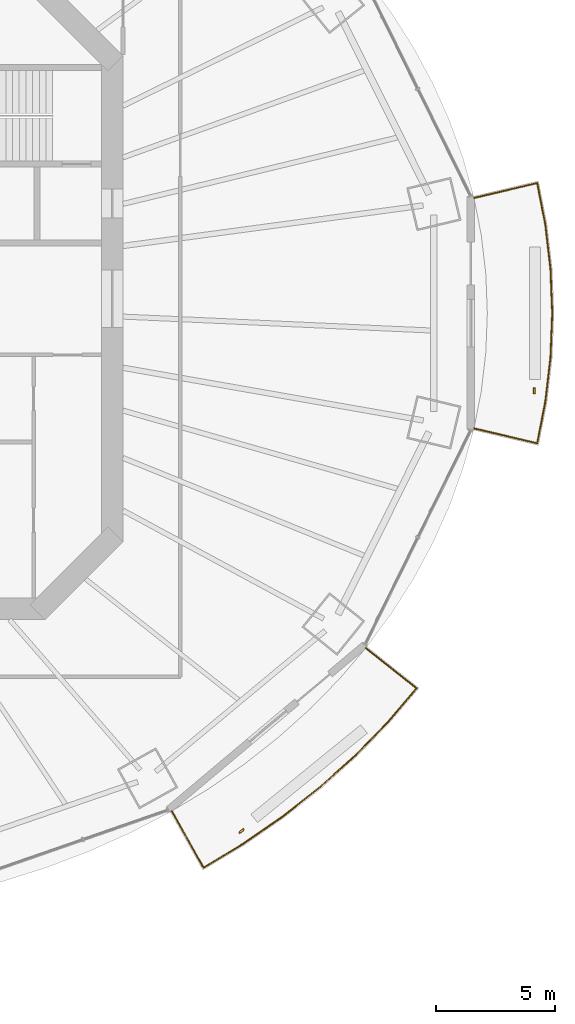
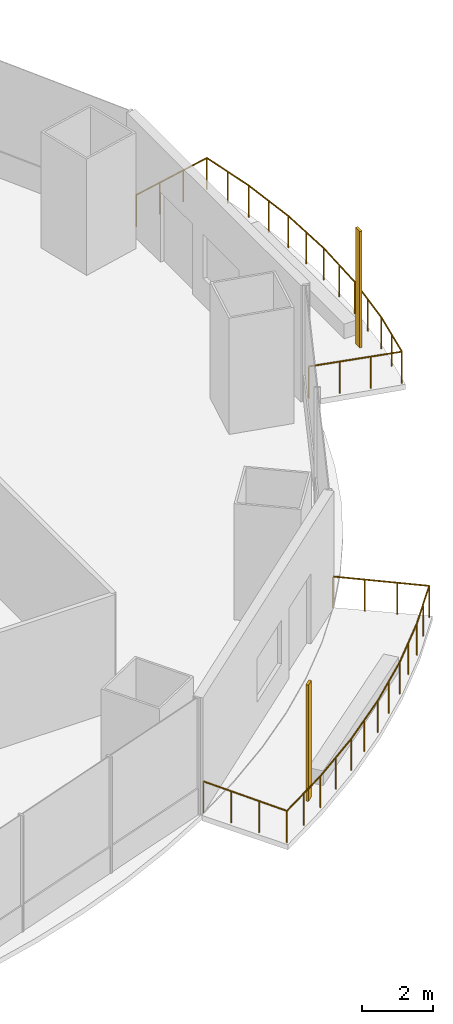
# One storey, part 16 of 19: 2 railings, 2 shading devices.
"""IFC4 building model written with IfcOpenShell, lengths in metres."""

from ifc_helpers import new_model, si_unit, direction, frame, origin, origin_2d, place, context, subcontext, project, spatial, rectangle, circle, extrude, material, material_profile, profile_set, type_object, element, save


model = new_model("IFC4")

# Units and contexts
model_context = context("Model", 3, precision=1e-05, world=origin(), true_north=direction((0.0, 1.0)))
body_context = subcontext(model_context, "Body", "Model", "MODEL_VIEW")
ifc_project = project(units=[si_unit("LENGTHUNIT", "METRE"), si_unit("AREAUNIT", "SQUARE_METRE"), si_unit("VOLUMEUNIT", "CUBIC_METRE"), si_unit("PLANEANGLEUNIT", "RADIAN"), si_unit("MASSUNIT", "GRAM", prefix="KILO")], contexts=[model_context])

# Site, building, storey
site_placement = place(None, origin())
site = spatial("IfcSite", under=ifc_project, at=site_placement, CompositionType="ELEMENT")
building_placement = place(site_placement, origin())
building = spatial("IfcBuilding", under=site, at=building_placement, Name="Marenthal Gate Tower", CompositionType="ELEMENT")
storey_placement = place(building_placement, frame((0.0, 0.0, 248.199951171875)))
storey = spatial("IfcBuildingStorey", under=building, at=storey_placement, Name="L55", CompositionType="ELEMENT", Elevation=248.199951171875)

# Railings
ifc_material_1 = material(Name="Stainless steel", Category="steel")
railing_type = type_object("IfcRailingType", Name="Balcony guard 1100", PredefinedType="GUARDRAIL", material=ifc_material_1)
railing_1_placement = place(storey_placement, frame((26.63037109375, -14.637451171875, 0.0)))
element("IfcRailing", 1, at=railing_1_placement, inside=storey, type_object=railing_type, Name="Balcony guard L55 bay 14", PredefinedType="GUARDRAIL", context=body_context, shape_type="SweptSolid", body=[
    extrude(circle(Radius=0.02392578125, at=origin_2d()), frame((0.0, 0.0, 1.076171875), z_axis=(0.783055581805, -0.621777543925, -0.014718752483), x_axis=(0.621844906334, 0.783140416826, 0.0)), (0.0, 0.0, 1.0), 2.72021484375),
    extrude(circle(Radius=0.02392578125, at=origin_2d()), frame((2.130126953125, -1.69140625, 1.0361328125), z_axis=(-0.649809223688, -0.760097344298, 0.0), x_axis=(0.760097344298, -0.649809223688, 0.0)), (0.0, 0.0, 1.0), 1.864013671875),
    extrude(circle(Radius=0.02392578125, at=origin_2d()), frame((0.9189453125, -3.108154296875, 1.0361328125), z_axis=(-0.698521536326, -0.715589032398, 0.0), x_axis=(0.715589032398, -0.698521536326, 0.0)), (0.0, 0.0, 1.0), 1.959716796875),
    extrude(circle(Radius=0.02392578125, at=origin_2d()), frame((-0.449951171875, -4.510498046875, 1.0361328125), z_axis=(-0.744196610974, -0.667960630737, 0.0), x_axis=(0.667960630737, -0.744196610974, 0.0)), (0.0, 0.0, 1.0), 1.975830078125),
    extrude(circle(Radius=0.02392578125, at=origin_2d()), frame((-1.92041015625, -5.830322265625, 1.0361328125), z_axis=(-0.785663114819, -0.618654564367, 0.0), x_axis=(0.618654564367, -0.785663114819, 0.0)), (0.0, 0.0, 1.0), 1.992431640625),
    extrude(circle(Radius=0.02392578125, at=origin_2d()), frame((-3.48583984375, -7.06298828125, 1.0361328125), z_axis=(-0.823079547335, -0.567926103256, 0.0), x_axis=(0.567926103256, -0.823079547335, 0.0)), (0.0, 0.0, 1.0), 2.00830078125),
    extrude(circle(Radius=0.02392578125, at=origin_2d()), frame((-5.138916015625, -8.20361328125, 1.0361328125), z_axis=(-0.855927117695, -0.517096479581, 0.0), x_axis=(0.517096479581, -0.855927117695, 0.0)), (0.0, 0.0, 1.0), 1.94482421875),
    extrude(circle(Radius=0.02392578125, at=origin_2d()), frame((-6.803466796875, -9.209228515625, 1.0361328125), z_axis=(-0.489935400912, 0.871634477681, 0.014718704112), x_axis=(-0.87172890858, -0.489988479401, 0.0)), (0.0, 0.0, 1.0), 2.72021484375),
    extrude(circle(Radius=0.02099609375, at=origin_2d()), origin(), (0.0, 0.0, 1.0), 1.052001953125),
    extrude(circle(Radius=0.02099609375, at=origin_2d()), frame((0.7099609375, -0.563720703125, -0.013427734375)), (0.0, 0.0, 1.0), 1.052001953125),
    extrude(circle(Radius=0.02099609375, at=origin_2d()), frame((1.420166015625, -1.127685546875, -0.026611328125)), (0.0, 0.0, 1.0), 1.052001953125),
    extrude(circle(Radius=0.02099609375, at=origin_2d()), frame((2.130126953125, -1.69140625, -0.0400390625)), (0.0, 0.0, 1.0), 1.052001953125),
    extrude(circle(Radius=0.02099609375, at=origin_2d()), frame((1.5244140625, -2.39990234375, -0.0400390625)), (0.0, 0.0, 1.0), 1.052001953125),
    extrude(circle(Radius=0.02099609375, at=origin_2d()), frame((0.9189453125, -3.108154296875, -0.0400390625)), (0.0, 0.0, 1.0), 1.052001953125),
    extrude(circle(Radius=0.02099609375, at=origin_2d()), frame((0.234375, -3.809326171875, -0.0400390625)), (0.0, 0.0, 1.0), 1.052001953125),
    extrude(circle(Radius=0.02099609375, at=origin_2d()), frame((-0.449951171875, -4.510498046875, -0.0400390625)), (0.0, 0.0, 1.0), 1.052001953125),
    extrude(circle(Radius=0.02099609375, at=origin_2d()), frame((-1.18505859375, -5.17041015625, -0.0400390625)), (0.0, 0.0, 1.0), 1.052001953125),
    extrude(circle(Radius=0.02099609375, at=origin_2d()), frame((-1.92041015625, -5.830322265625, -0.0400390625)), (0.0, 0.0, 1.0), 1.052001953125),
    extrude(circle(Radius=0.02099609375, at=origin_2d()), frame((-2.703125, -6.44677734375, -0.0400390625)), (0.0, 0.0, 1.0), 1.052001953125),
    extrude(circle(Radius=0.02099609375, at=origin_2d()), frame((-3.48583984375, -7.06298828125, -0.0400390625)), (0.0, 0.0, 1.0), 1.052001953125),
    extrude(circle(Radius=0.02099609375, at=origin_2d()), frame((-4.3125, -7.63330078125, -0.0400390625)), (0.0, 0.0, 1.0), 1.052001953125),
    extrude(circle(Radius=0.02099609375, at=origin_2d()), frame((-5.138916015625, -8.20361328125, -0.0400390625)), (0.0, 0.0, 1.0), 1.052001953125),
    extrude(circle(Radius=0.02099609375, at=origin_2d()), frame((-5.97119140625, -8.70654296875, -0.0400390625)), (0.0, 0.0, 1.0), 1.052001953125),
    extrude(circle(Radius=0.02099609375, at=origin_2d()), frame((-6.803466796875, -9.209228515625, -0.0400390625)), (0.0, 0.0, 1.0), 1.052001953125),
    extrude(circle(Radius=0.02099609375, at=origin_2d()), frame((-7.247802734375, -8.4189453125, -0.026611328125)), (0.0, 0.0, 1.0), 1.052001953125),
    extrude(circle(Radius=0.02099609375, at=origin_2d()), frame((-7.69189453125, -7.62841796875, -0.013427734375)), (0.0, 0.0, 1.0), 1.052001953125),
    extrude(circle(Radius=0.02099609375, at=origin_2d()), frame((-8.13623046875, -6.838134765625, 0.0)), (0.0, 0.0, 1.0), 1.052001953125),
])
railing_2_placement = place(storey_placement, frame((31.16650390625, 4.2294921875, 0.0)))
element("IfcRailing", 2, at=railing_2_placement, inside=storey, type_object=railing_type, Name="Balcony guard L55 bay 16", PredefinedType="GUARDRAIL", context=body_context, shape_type="SweptSolid", body=[
    extrude(circle(Radius=0.02392578125, at=origin_2d()), frame((0.0, 0.0, 1.076171875), z_axis=(0.973072245699, 0.230029899071, -0.014719041532), x_axis=(-0.23005482113, 0.97317767097, 0.0)), (0.0, 0.0, 1.0), 2.72021484375),
    extrude(circle(Radius=0.02392578125, at=origin_2d()), frame((2.64697265625, 0.625732421875, 1.0361328125), z_axis=(0.19100882276, -0.981588319831, 0.0), x_axis=(0.981588319831, 0.19100882276, 0.0)), (0.0, 0.0, 1.0), 1.784423828125),
    extrude(circle(Radius=0.02392578125, at=origin_2d()), frame((2.98779296875, -1.125732421875, 1.0361328125), z_axis=(0.116292910733, -0.99321496108, 0.0), x_axis=(0.99321496108, 0.116292910733, 0.0)), (0.0, 0.0, 1.0), 1.860107421875),
    extrude(circle(Radius=0.02392578125, at=origin_2d()), frame((3.2041015625, -2.97314453125, 1.0361328125), z_axis=(0.039028631449, -0.999238092712, 0.0), x_axis=(0.999238092712, 0.039028631449, 0.0)), (0.0, 0.0, 1.0), 1.85791015625),
    extrude(circle(Radius=0.02392578125, at=origin_2d()), frame((3.276611328125, -4.82958984375, 1.0361328125), z_axis=(-0.039028631449, -0.999238092712, 0.0), x_axis=(0.999238092712, -0.039028631449, 0.0)), (0.0, 0.0, 1.0), 1.85791015625),
    extrude(circle(Radius=0.02392578125, at=origin_2d()), frame((3.2041015625, -6.68603515625, 1.0361328125), z_axis=(-0.116308073283, -0.99321318562, 0.0), x_axis=(0.99321318562, -0.116308073283, 0.0)), (0.0, 0.0, 1.0), 1.85986328125),
    extrude(circle(Radius=0.02392578125, at=origin_2d()), frame((2.98779296875, -8.533203125, 1.0361328125), z_axis=(-0.19100882276, -0.981588319831, 0.0), x_axis=(0.981588319831, -0.19100882276, 0.0)), (0.0, 0.0, 1.0), 1.784423828125),
    extrude(circle(Radius=0.02392578125, at=origin_2d()), frame((2.64697265625, -10.28466796875, 1.0361328125), z_axis=(-0.973072245699, 0.230029899071, 0.014719041532), x_axis=(-0.23005482113, -0.97317767097, 0.0)), (0.0, 0.0, 1.0), 2.72021484375),
    extrude(circle(Radius=0.02099609375, at=origin_2d()), origin(), (0.0, 0.0, 1.0), 1.052001953125),
    extrude(circle(Radius=0.02099609375, at=origin_2d()), frame((0.88232421875, 0.20849609375, -0.013427734375)), (0.0, 0.0, 1.0), 1.052001953125),
    extrude(circle(Radius=0.02099609375, at=origin_2d()), frame((1.7646484375, 0.417236328125, -0.026611328125)), (0.0, 0.0, 1.0), 1.052001953125),
    extrude(circle(Radius=0.02099609375, at=origin_2d()), frame((2.64697265625, 0.625732421875, -0.0400390625)), (0.0, 0.0, 1.0), 1.052001953125),
    extrude(circle(Radius=0.02099609375, at=origin_2d()), frame((2.8173828125, -0.25, -0.0400390625)), (0.0, 0.0, 1.0), 1.052001953125),
    extrude(circle(Radius=0.02099609375, at=origin_2d()), frame((2.98779296875, -1.125732421875, -0.0400390625)), (0.0, 0.0, 1.0), 1.052001953125),
    extrude(circle(Radius=0.02099609375, at=origin_2d()), frame((3.095947265625, -2.04931640625, -0.0400390625)), (0.0, 0.0, 1.0), 1.052001953125),
    extrude(circle(Radius=0.02099609375, at=origin_2d()), frame((3.2041015625, -2.97314453125, -0.0400390625)), (0.0, 0.0, 1.0), 1.052001953125),
    extrude(circle(Radius=0.02099609375, at=origin_2d()), frame((3.240234375, -3.9013671875, -0.0400390625)), (0.0, 0.0, 1.0), 1.052001953125),
    extrude(circle(Radius=0.02099609375, at=origin_2d()), frame((3.276611328125, -4.82958984375, -0.0400390625)), (0.0, 0.0, 1.0), 1.052001953125),
    extrude(circle(Radius=0.02099609375, at=origin_2d()), frame((3.240234375, -5.7578125, -0.0400390625)), (0.0, 0.0, 1.0), 1.052001953125),
    extrude(circle(Radius=0.02099609375, at=origin_2d()), frame((3.2041015625, -6.68603515625, -0.0400390625)), (0.0, 0.0, 1.0), 1.052001953125),
    extrude(circle(Radius=0.02099609375, at=origin_2d()), frame((3.095947265625, -7.609619140625, -0.0400390625)), (0.0, 0.0, 1.0), 1.052001953125),
    extrude(circle(Radius=0.02099609375, at=origin_2d()), frame((2.98779296875, -8.533203125, -0.0400390625)), (0.0, 0.0, 1.0), 1.052001953125),
    extrude(circle(Radius=0.02099609375, at=origin_2d()), frame((2.8173828125, -9.408935546875, -0.0400390625)), (0.0, 0.0, 1.0), 1.052001953125),
    extrude(circle(Radius=0.02099609375, at=origin_2d()), frame((2.64697265625, -10.28466796875, -0.0400390625)), (0.0, 0.0, 1.0), 1.052001953125),
    extrude(circle(Radius=0.02099609375, at=origin_2d()), frame((1.7646484375, -10.076171875, -0.026611328125)), (0.0, 0.0, 1.0), 1.052001953125),
    extrude(circle(Radius=0.02099609375, at=origin_2d()), frame((0.88232421875, -9.867431640625, -0.013427734375)), (0.0, 0.0, 1.0), 1.052001953125),
    extrude(circle(Radius=0.02099609375, at=origin_2d()), frame((0.0, -9.658935546875, 0.0)), (0.0, 0.0, 1.0), 1.052001953125),
])

# Shading devices
ifc_material_2 = material(Name="Terracotta", Category="masonry")
ifc_material_profile = material_profile(ifc_material_2, rectangle(XDim=0.25, YDim=0.080078125, at=origin_2d()), Name="Terracotta baguette 250x80")
ifc_profile_set = profile_set([ifc_material_profile], Name="Terracotta")
shading_device_type = type_object("IfcShadingDeviceType", Name="Terracotta BAGUETTE SCREEN 250x80", PredefinedType="USERDEFINED", material=ifc_profile_set)
for number, where, z_axis, x_axis, name in (
    (3, (21.41748046875, -22.3095703125, -0.0400390625), (0.0, 0.0, 1.0), (0.765398416376, 0.643556729597, 0.0), "Terracotta BAGUETTE L55 bay 14L"),
    (4, (33.69091796875, -3.85205078125, -0.0400390625), (0.0, 0.0, 1.0), (0.0, 1.0, 0.0), "Terracotta BAGUETTE L55 bay 16L"),
):
    element("IfcShadingDevice", number, at=place(storey_placement, frame(where, z_axis=z_axis, x_axis=x_axis)), inside=storey, type_object=shading_device_type, Name=name, ObjectType="BAGUETTE SCREEN", PredefinedType="USERDEFINED", context=body_context, shape_type="SweptSolid", body=[
        extrude(rectangle(XDim=0.25, YDim=0.080078125, at=origin_2d()), origin(), (0.0, 0.0, 1.0), 3.969970703125),
    ])

save(model, "model.ifc")
